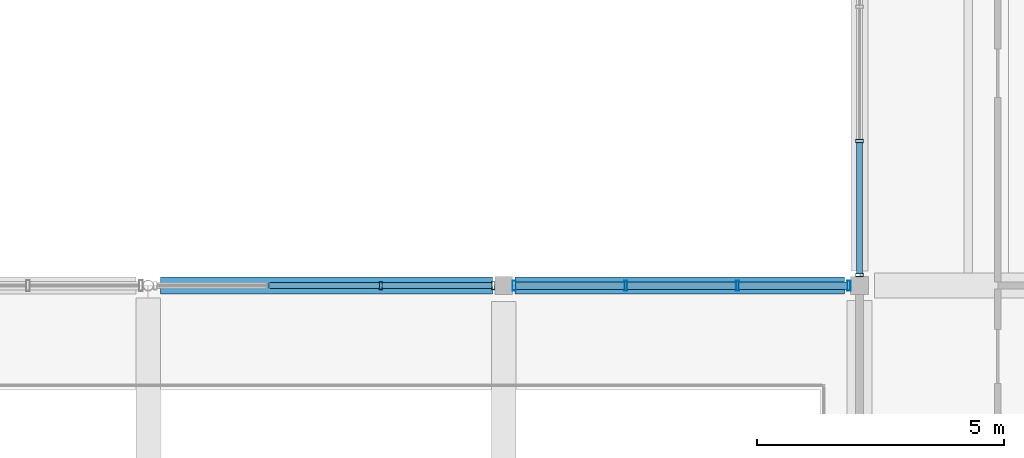
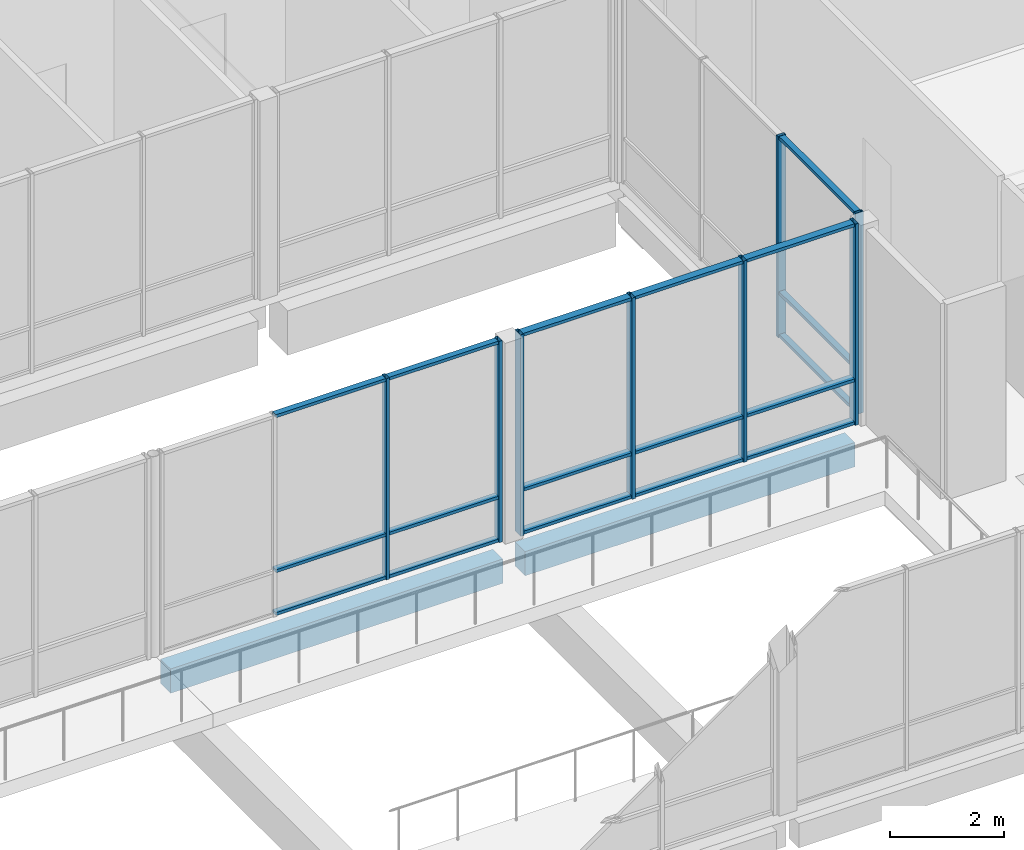
# One storey, part 49 of 146: 26 members, 2 beams, 3 elements without a shape of their own.
"""IFC4 building model written with IfcOpenShell, lengths in metres."""

from ifc_helpers import new_model, si_unit, direction, frame, origin, origin_2d, place, context, subcontext, project, spatial, rectangle, hollow_rectangle, extrude, material, material_profile, profile_set, type_object, element, aggregate, save


model = new_model("IFC4")

# Units and contexts
model_context = context("Model", 3, precision=1e-05, world=origin(), true_north=direction((0.0, 1.0)))
body_context = subcontext(model_context, "Body", "Model", "MODEL_VIEW")
ifc_project = project(units=[si_unit("LENGTHUNIT", "METRE"), si_unit("AREAUNIT", "SQUARE_METRE"), si_unit("VOLUMEUNIT", "CUBIC_METRE"), si_unit("PLANEANGLEUNIT", "RADIAN"), si_unit("MASSUNIT", "GRAM", prefix="KILO")], contexts=[model_context])

# Site, building, storey
site_placement = place(None, origin())
site = spatial("IfcSite", under=ifc_project, at=site_placement, CompositionType="ELEMENT")
building_placement = place(site_placement, origin())
building = spatial("IfcBuilding", under=site, at=building_placement, Name="Hawrajan Terrace Health Centre", CompositionType="ELEMENT")
storey_placement = place(building_placement, frame((0.0, 0.0, 4.5)))
storey = spatial("IfcBuildingStorey", under=building, at=storey_placement, Name="L01", CompositionType="ELEMENT", Elevation=4.5)

# Curtain wall, members
ifc_material_1 = material(Name="Anodized bronze aluminium and low-E solar glazing", Category="aluminium")
curtain_wall_type_1 = type_object("IfcCurtainWallType", Name="CW_Court_SeriesA3", PredefinedType="USERDEFINED", material=ifc_material_1)
curtain_wall_1_placement = place(storey_placement, origin())
curtain_wall_1 = element("IfcCurtainWall", 1, at=curtain_wall_1_placement, inside=storey, type_object=curtain_wall_type_1, Name="Curtain wall CW-L01-075", ObjectType="UNITISED CURTAIN WALL", PredefinedType="USERDEFINED")
ifc_material_2 = material(Name="Anodized bronze aluminium 6063-T6", Category="aluminium")
ifc_material_profile_1 = material_profile(ifc_material_2, hollow_rectangle(XDim=0.06494140625, YDim=0.159912109375, WallThickness=0.00390625, at=origin_2d()), Name="CW MUL 65x160")
ifc_profile_set_1 = profile_set([ifc_material_profile_1], Name="Anodized bronze aluminium 6063-T6")
member_type_1 = type_object("IfcMemberType", Name="CWMullion_65x160", PredefinedType="MULLION", material=ifc_profile_set_1)
member_1_placement = place(storey_placement, frame((52.505615234375, 36.800048828125, -0.0048828125), z_axis=(0.0, 0.0, 1.0), x_axis=(1.0, 0.0, 0.0)))
member_1 = element("IfcMember", 2, at=member_1_placement, type_object=member_type_1, Name="Mullion CW-L01-075-M3", PredefinedType="MULLION", context=body_context, shape_type="SweptSolid", body=[
    extrude(hollow_rectangle(XDim=0.06494140625, YDim=0.159912109375, WallThickness=0.00390625, at=origin_2d()), origin(), (0.0, 0.0, 1.0), 4.309814453125),
])
member_2_placement = place(storey_placement, frame((54.78759765625, 36.800048828125, -0.0048828125), z_axis=(0.0, 0.0, 1.0), x_axis=(1.0, 0.0, 0.0)))
member_2 = element("IfcMember", 3, at=member_2_placement, type_object=member_type_1, Name="Mullion CW-L01-075-M4", PredefinedType="MULLION", context=body_context, shape_type="SweptSolid", body=[
    extrude(hollow_rectangle(XDim=0.06494140625, YDim=0.159912109375, WallThickness=0.00390625, at=origin_2d()), origin(), (0.0, 0.0, 1.0), 4.309814453125),
])

curtain_wall_type_2 = type_object("IfcCurtainWallType", Name="CW_Pavilion_SeriesE1", PredefinedType="USERDEFINED", material=ifc_material_1)
curtain_wall_2_placement = place(storey_placement, origin())
curtain_wall_2 = element("IfcCurtainWall", 4, at=curtain_wall_2_placement, inside=storey, type_object=curtain_wall_type_2, Name="Curtain wall CW-L01-084", ObjectType="UNITISED CURTAIN WALL", PredefinedType="USERDEFINED")
member_3_placement = place(storey_placement, frame((62.199951171875, 37.012451171875, -0.0048828125), z_axis=(0.0, 0.0, 1.0), x_axis=(0.0, 1.0, 0.0)))
member_3 = element("IfcMember", 5, at=member_3_placement, type_object=member_type_1, Name="Mullion CW-L01-084-M1", PredefinedType="MULLION", context=body_context, shape_type="SweptSolid", body=[
    extrude(hollow_rectangle(XDim=0.06494140625, YDim=0.159912109375, WallThickness=0.00390625, at=origin_2d()), origin(), (0.0, 0.0, 1.0), 4.309814453125),
])
member_4_placement = place(storey_placement, frame((62.199951171875, 39.7275390625, -0.0048828125), z_axis=(0.0, 0.0, 1.0), x_axis=(0.0, 1.0, 0.0)))
member_4 = element("IfcMember", 6, at=member_4_placement, type_object=member_type_1, Name="Mullion CW-L01-084-M2", PredefinedType="MULLION", context=body_context, shape_type="SweptSolid", body=[
    extrude(hollow_rectangle(XDim=0.06494140625, YDim=0.159912109375, WallThickness=0.00390625, at=origin_2d()), origin(), (0.0, 0.0, 1.0), 4.309814453125),
])

curtain_wall_type_3 = type_object("IfcCurtainWallType", Name="CW_CourtNS_SeriesC1", PredefinedType="USERDEFINED", material=ifc_material_1)
curtain_wall_3_placement = place(storey_placement, origin())
curtain_wall_3 = element("IfcCurtainWall", 7, at=curtain_wall_3_placement, inside=storey, type_object=curtain_wall_type_3, Name="Curtain wall CW-L01-079", ObjectType="UNITISED CURTAIN WALL", PredefinedType="USERDEFINED")
ifc_material_profile_2 = material_profile(ifc_material_2, hollow_rectangle(XDim=0.06494140625, YDim=0.199951171875, WallThickness=0.00439453125, at=origin_2d()), Name="CW MUL 65x200")
ifc_profile_set_2 = profile_set([ifc_material_profile_2], Name="Anodized bronze aluminium 6063-T6")
member_type_2 = type_object("IfcMemberType", Name="CWMullion_65x200", PredefinedType="MULLION", material=ifc_profile_set_2)
member_5_placement = place(storey_placement, frame((55.21240234375, 36.800048828125, -0.0048828125), z_axis=(0.0, 0.0, 1.0), x_axis=(1.0, 0.0, 0.0)))
member_5 = element("IfcMember", 8, at=member_5_placement, type_object=member_type_2, Name="Mullion CW-L01-079-M1", PredefinedType="MULLION", context=body_context, shape_type="SweptSolid", body=[
    extrude(hollow_rectangle(XDim=0.06494140625, YDim=0.199951171875, WallThickness=0.00439453125, at=origin_2d()), origin(), (0.0, 0.0, 1.0), 4.309814453125),
])
member_6_placement = place(storey_placement, frame((57.470703125, 36.800048828125, -0.0048828125), z_axis=(0.0, 0.0, 1.0), x_axis=(1.0, 0.0, 0.0)))
member_6 = element("IfcMember", 9, at=member_6_placement, type_object=member_type_2, Name="Mullion CW-L01-079-M2", PredefinedType="MULLION", context=body_context, shape_type="SweptSolid", body=[
    extrude(hollow_rectangle(XDim=0.06494140625, YDim=0.199951171875, WallThickness=0.00439453125, at=origin_2d()), origin(), (0.0, 0.0, 1.0), 4.309814453125),
])
member_7_placement = place(storey_placement, frame((59.729248046875, 36.800048828125, -0.0048828125), z_axis=(0.0, 0.0, 1.0), x_axis=(1.0, 0.0, 0.0)))
member_7 = element("IfcMember", 10, at=member_7_placement, type_object=member_type_2, Name="Mullion CW-L01-079-M3", PredefinedType="MULLION", context=body_context, shape_type="SweptSolid", body=[
    extrude(hollow_rectangle(XDim=0.06494140625, YDim=0.199951171875, WallThickness=0.00439453125, at=origin_2d()), origin(), (0.0, 0.0, 1.0), 4.309814453125),
])
member_8_placement = place(storey_placement, frame((61.987548828125, 36.800048828125, -0.0048828125), z_axis=(0.0, 0.0, 1.0), x_axis=(1.0, 0.0, 0.0)))
member_8 = element("IfcMember", 11, at=member_8_placement, type_object=member_type_2, Name="Mullion CW-L01-079-M4", PredefinedType="MULLION", context=body_context, shape_type="SweptSolid", body=[
    extrude(hollow_rectangle(XDim=0.06494140625, YDim=0.199951171875, WallThickness=0.00439453125, at=origin_2d()), origin(), (0.0, 0.0, 1.0), 4.309814453125),
])

# Member
ifc_material_profile_3 = material_profile(ifc_material_2, hollow_rectangle(XDim=0.06494140625, YDim=0.1201171875, WallThickness=0.00341796875, at=origin_2d()), Name="CW TRN 65x120")
ifc_profile_set_3 = profile_set([ifc_material_profile_3], Name="Anodized bronze aluminium 6063-T6")
member_type_3 = type_object("IfcMemberType", Name="CWTransom_65x120", PredefinedType="USERDEFINED", material=ifc_profile_set_3)
member_9_placement = place(storey_placement, frame((50.250244140625, 36.800048828125, 0.032470703125), z_axis=(1.0, 0.0, 0.0), x_axis=(0.0, 0.0, 1.0)))
member_9 = element("IfcMember", 12, at=member_9_placement, type_object=member_type_3, Name="Transom CW-L01-075-T2-1", ObjectType="TRANSOM", PredefinedType="USERDEFINED", context=body_context, shape_type="SweptSolid", body=[
    extrude(hollow_rectangle(XDim=0.06494140625, YDim=0.1201171875, WallThickness=0.00341796875, at=origin_2d()), origin(), (0.0, 0.0, 1.0), 2.22900390625),
])

member_10_placement = place(storey_placement, frame((50.250244140625, 36.800048828125, 0.949951171875), z_axis=(1.0, 0.0, 0.0), x_axis=(0.0, 0.0, 1.0)))
member_10 = element("IfcMember", 13, at=member_10_placement, type_object=member_type_3, Name="Transom CW-L01-075-T2-2", ObjectType="TRANSOM", PredefinedType="USERDEFINED", context=body_context, shape_type="SweptSolid", body=[
    extrude(hollow_rectangle(XDim=0.06494140625, YDim=0.1201171875, WallThickness=0.00341796875, at=origin_2d()), origin(), (0.0, 0.0, 1.0), 2.22900390625),
])

member_11_placement = place(storey_placement, frame((50.250244140625, 36.800048828125, 4.267578125), z_axis=(1.0, 0.0, 0.0), x_axis=(0.0, 0.0, 1.0)))
member_11 = element("IfcMember", 14, at=member_11_placement, type_object=member_type_3, Name="Transom CW-L01-075-T2-3", ObjectType="TRANSOM", PredefinedType="USERDEFINED", context=body_context, shape_type="SweptSolid", body=[
    extrude(hollow_rectangle(XDim=0.06494140625, YDim=0.1201171875, WallThickness=0.00341796875, at=origin_2d()), origin(), (0.0, 0.0, 1.0), 2.22900390625),
])

member_12_placement = place(storey_placement, frame((52.5322265625, 36.800048828125, 0.032470703125), z_axis=(1.0, 0.0, 0.0), x_axis=(0.0, 0.0, 1.0)))
member_12 = element("IfcMember", 15, at=member_12_placement, type_object=member_type_3, Name="Transom CW-L01-075-T3-1", ObjectType="TRANSOM", PredefinedType="USERDEFINED", context=body_context, shape_type="SweptSolid", body=[
    extrude(hollow_rectangle(XDim=0.06494140625, YDim=0.1201171875, WallThickness=0.00341796875, at=origin_2d()), origin(), (0.0, 0.0, 1.0), 2.228759765625),
])

member_13_placement = place(storey_placement, frame((52.5322265625, 36.800048828125, 0.949951171875), z_axis=(1.0, 0.0, 0.0), x_axis=(0.0, 0.0, 1.0)))
member_13 = element("IfcMember", 16, at=member_13_placement, type_object=member_type_3, Name="Transom CW-L01-075-T3-2", ObjectType="TRANSOM", PredefinedType="USERDEFINED", context=body_context, shape_type="SweptSolid", body=[
    extrude(hollow_rectangle(XDim=0.06494140625, YDim=0.1201171875, WallThickness=0.00341796875, at=origin_2d()), origin(), (0.0, 0.0, 1.0), 2.228759765625),
])

member_14_placement = place(storey_placement, frame((52.5322265625, 36.800048828125, 4.267578125), z_axis=(1.0, 0.0, 0.0), x_axis=(0.0, 0.0, 1.0)))
member_14 = element("IfcMember", 17, at=member_14_placement, type_object=member_type_3, Name="Transom CW-L01-075-T3-3", ObjectType="TRANSOM", PredefinedType="USERDEFINED", context=body_context, shape_type="SweptSolid", body=[
    extrude(hollow_rectangle(XDim=0.06494140625, YDim=0.1201171875, WallThickness=0.00341796875, at=origin_2d()), origin(), (0.0, 0.0, 1.0), 2.228759765625),
])

aggregate(curtain_wall_1, [member_1, member_2, member_9, member_10, member_11, member_12, member_13, member_14])

member_15_placement = place(storey_placement, frame((62.199951171875, 37.0390625, 0.032470703125), z_axis=(0.0, 1.0, 0.0), x_axis=(0.0, 0.0, 1.0)))
member_15 = element("IfcMember", 18, at=member_15_placement, type_object=member_type_3, Name="Transom CW-L01-084-T1-1", ObjectType="TRANSOM", PredefinedType="USERDEFINED", context=body_context, shape_type="SweptSolid", body=[
    extrude(hollow_rectangle(XDim=0.06494140625, YDim=0.1201171875, WallThickness=0.00341796875, at=origin_2d()), origin(), (0.0, 0.0, 1.0), 2.661865234375),
])

member_16_placement = place(storey_placement, frame((62.199951171875, 37.0390625, 0.949951171875), z_axis=(0.0, 1.0, 0.0), x_axis=(0.0, 0.0, 1.0)))
member_16 = element("IfcMember", 19, at=member_16_placement, type_object=member_type_3, Name="Transom CW-L01-084-T1-2", ObjectType="TRANSOM", PredefinedType="USERDEFINED", context=body_context, shape_type="SweptSolid", body=[
    extrude(hollow_rectangle(XDim=0.06494140625, YDim=0.1201171875, WallThickness=0.00341796875, at=origin_2d()), origin(), (0.0, 0.0, 1.0), 2.661865234375),
])

member_17_placement = place(storey_placement, frame((62.199951171875, 37.0390625, 4.267578125), z_axis=(0.0, 1.0, 0.0), x_axis=(0.0, 0.0, 1.0)))
member_17 = element("IfcMember", 20, at=member_17_placement, type_object=member_type_3, Name="Transom CW-L01-084-T1-3", ObjectType="TRANSOM", PredefinedType="USERDEFINED", context=body_context, shape_type="SweptSolid", body=[
    extrude(hollow_rectangle(XDim=0.06494140625, YDim=0.1201171875, WallThickness=0.00341796875, at=origin_2d()), origin(), (0.0, 0.0, 1.0), 2.661865234375),
])

aggregate(curtain_wall_2, [member_3, member_4, member_15, member_16, member_17])

ifc_material_profile_4 = material_profile(ifc_material_2, hollow_rectangle(XDim=0.06494140625, YDim=0.14990234375, WallThickness=0.00390625, at=origin_2d()), Name="CW TRN 65x150")
ifc_profile_set_4 = profile_set([ifc_material_profile_4], Name="Anodized bronze aluminium 6063-T6")
member_type_4 = type_object("IfcMemberType", Name="CWTransom_65x150", PredefinedType="USERDEFINED", material=ifc_profile_set_4)
member_18_placement = place(storey_placement, frame((55.239013671875, 36.800048828125, 0.032470703125), z_axis=(1.0, 0.0, 0.0), x_axis=(0.0, 0.0, 1.0)))
member_18 = element("IfcMember", 21, at=member_18_placement, type_object=member_type_4, Name="Transom CW-L01-079-T1-1", ObjectType="TRANSOM", PredefinedType="USERDEFINED", context=body_context, shape_type="SweptSolid", body=[
    extrude(hollow_rectangle(XDim=0.06494140625, YDim=0.14990234375, WallThickness=0.00390625, at=origin_2d()), origin(), (0.0, 0.0, 1.0), 2.205322265625),
])

member_19_placement = place(storey_placement, frame((55.239013671875, 36.800048828125, 0.949951171875), z_axis=(1.0, 0.0, 0.0), x_axis=(0.0, 0.0, 1.0)))
member_19 = element("IfcMember", 22, at=member_19_placement, type_object=member_type_4, Name="Transom CW-L01-079-T1-2", ObjectType="TRANSOM", PredefinedType="USERDEFINED", context=body_context, shape_type="SweptSolid", body=[
    extrude(hollow_rectangle(XDim=0.06494140625, YDim=0.14990234375, WallThickness=0.00390625, at=origin_2d()), origin(), (0.0, 0.0, 1.0), 2.205322265625),
])

member_20_placement = place(storey_placement, frame((55.239013671875, 36.800048828125, 4.267578125), z_axis=(1.0, 0.0, 0.0), x_axis=(0.0, 0.0, 1.0)))
member_20 = element("IfcMember", 23, at=member_20_placement, type_object=member_type_4, Name="Transom CW-L01-079-T1-3", ObjectType="TRANSOM", PredefinedType="USERDEFINED", context=body_context, shape_type="SweptSolid", body=[
    extrude(hollow_rectangle(XDim=0.06494140625, YDim=0.14990234375, WallThickness=0.00390625, at=origin_2d()), origin(), (0.0, 0.0, 1.0), 2.205322265625),
])

member_21_placement = place(storey_placement, frame((57.497314453125, 36.800048828125, 0.032470703125), z_axis=(1.0, 0.0, 0.0), x_axis=(0.0, 0.0, 1.0)))
member_21 = element("IfcMember", 24, at=member_21_placement, type_object=member_type_4, Name="Transom CW-L01-079-T2-1", ObjectType="TRANSOM", PredefinedType="USERDEFINED", context=body_context, shape_type="SweptSolid", body=[
    extrude(hollow_rectangle(XDim=0.06494140625, YDim=0.14990234375, WallThickness=0.00390625, at=origin_2d()), origin(), (0.0, 0.0, 1.0), 2.205322265625),
])

member_22_placement = place(storey_placement, frame((57.497314453125, 36.800048828125, 0.949951171875), z_axis=(1.0, 0.0, 0.0), x_axis=(0.0, 0.0, 1.0)))
member_22 = element("IfcMember", 25, at=member_22_placement, type_object=member_type_4, Name="Transom CW-L01-079-T2-2", ObjectType="TRANSOM", PredefinedType="USERDEFINED", context=body_context, shape_type="SweptSolid", body=[
    extrude(hollow_rectangle(XDim=0.06494140625, YDim=0.14990234375, WallThickness=0.00390625, at=origin_2d()), origin(), (0.0, 0.0, 1.0), 2.205322265625),
])

member_23_placement = place(storey_placement, frame((57.497314453125, 36.800048828125, 4.267578125), z_axis=(1.0, 0.0, 0.0), x_axis=(0.0, 0.0, 1.0)))
member_23 = element("IfcMember", 26, at=member_23_placement, type_object=member_type_4, Name="Transom CW-L01-079-T2-3", ObjectType="TRANSOM", PredefinedType="USERDEFINED", context=body_context, shape_type="SweptSolid", body=[
    extrude(hollow_rectangle(XDim=0.06494140625, YDim=0.14990234375, WallThickness=0.00390625, at=origin_2d()), origin(), (0.0, 0.0, 1.0), 2.205322265625),
])

member_24_placement = place(storey_placement, frame((59.755615234375, 36.800048828125, 0.032470703125), z_axis=(1.0, 0.0, 0.0), x_axis=(0.0, 0.0, 1.0)))
member_24 = element("IfcMember", 27, at=member_24_placement, type_object=member_type_4, Name="Transom CW-L01-079-T3-1", ObjectType="TRANSOM", PredefinedType="USERDEFINED", context=body_context, shape_type="SweptSolid", body=[
    extrude(hollow_rectangle(XDim=0.06494140625, YDim=0.14990234375, WallThickness=0.00390625, at=origin_2d()), origin(), (0.0, 0.0, 1.0), 2.205322265625),
])

member_25_placement = place(storey_placement, frame((59.755615234375, 36.800048828125, 0.949951171875), z_axis=(1.0, 0.0, 0.0), x_axis=(0.0, 0.0, 1.0)))
member_25 = element("IfcMember", 28, at=member_25_placement, type_object=member_type_4, Name="Transom CW-L01-079-T3-2", ObjectType="TRANSOM", PredefinedType="USERDEFINED", context=body_context, shape_type="SweptSolid", body=[
    extrude(hollow_rectangle(XDim=0.06494140625, YDim=0.14990234375, WallThickness=0.00390625, at=origin_2d()), origin(), (0.0, 0.0, 1.0), 2.205322265625),
])

member_26_placement = place(storey_placement, frame((59.755615234375, 36.800048828125, 4.267578125), z_axis=(1.0, 0.0, 0.0), x_axis=(0.0, 0.0, 1.0)))
member_26 = element("IfcMember", 29, at=member_26_placement, type_object=member_type_4, Name="Transom CW-L01-079-T3-3", ObjectType="TRANSOM", PredefinedType="USERDEFINED", context=body_context, shape_type="SweptSolid", body=[
    extrude(hollow_rectangle(XDim=0.06494140625, YDim=0.14990234375, WallThickness=0.00390625, at=origin_2d()), origin(), (0.0, 0.0, 1.0), 2.205322265625),
])

aggregate(curtain_wall_3, [member_5, member_6, member_7, member_8, member_18, member_19, member_20, member_21, member_22, member_23, member_24, member_25, member_26])

# Beams
ifc_material_3 = material(Name="Concrete C40/50", Category="concrete")
ifc_material_profile_5 = material_profile(ifc_material_3, rectangle(XDim=0.35009765625, YDim=0.52001953125, at=origin_2d()), Name="RC SP 350x520")
ifc_profile_set_5 = profile_set([ifc_material_profile_5], Name="Concrete C40/50")
beam_type = type_object("IfcBeamType", Name="RCSpandrel_350x520", PredefinedType="SPANDREL", material=ifc_profile_set_5)
beam_1_placement = place(storey_placement, frame((48.050048828125, 36.800048828125, -0.56005859375), z_axis=(1.0, 0.0, 0.0), x_axis=(0.0, 1.0, 0.0)))
element("IfcBeam", 30, at=beam_1_placement, inside=storey, type_object=beam_type, Name="Beam BM-X-L01-W-07-Y5", PredefinedType="SPANDREL", context=body_context, shape_type="SweptSolid", body=[
    extrude(rectangle(XDim=0.35009765625, YDim=0.52001953125, at=origin_2d()), origin(), (0.0, 0.0, 1.0), 6.724853515625),
])
beam_2_placement = place(storey_placement, frame((55.22509765625, 36.800048828125, -0.56005859375), z_axis=(1.0, 0.0, 0.0), x_axis=(0.0, 1.0, 0.0)))
element("IfcBeam", 31, at=beam_2_placement, inside=storey, type_object=beam_type, Name="Beam BM-X-L01-W-08-Y5", PredefinedType="SPANDREL", context=body_context, shape_type="SweptSolid", body=[
    extrude(rectangle(XDim=0.35009765625, YDim=0.52001953125, at=origin_2d()), origin(), (0.0, 0.0, 1.0), 6.6748046875),
])

save(model, "model.ifc")
